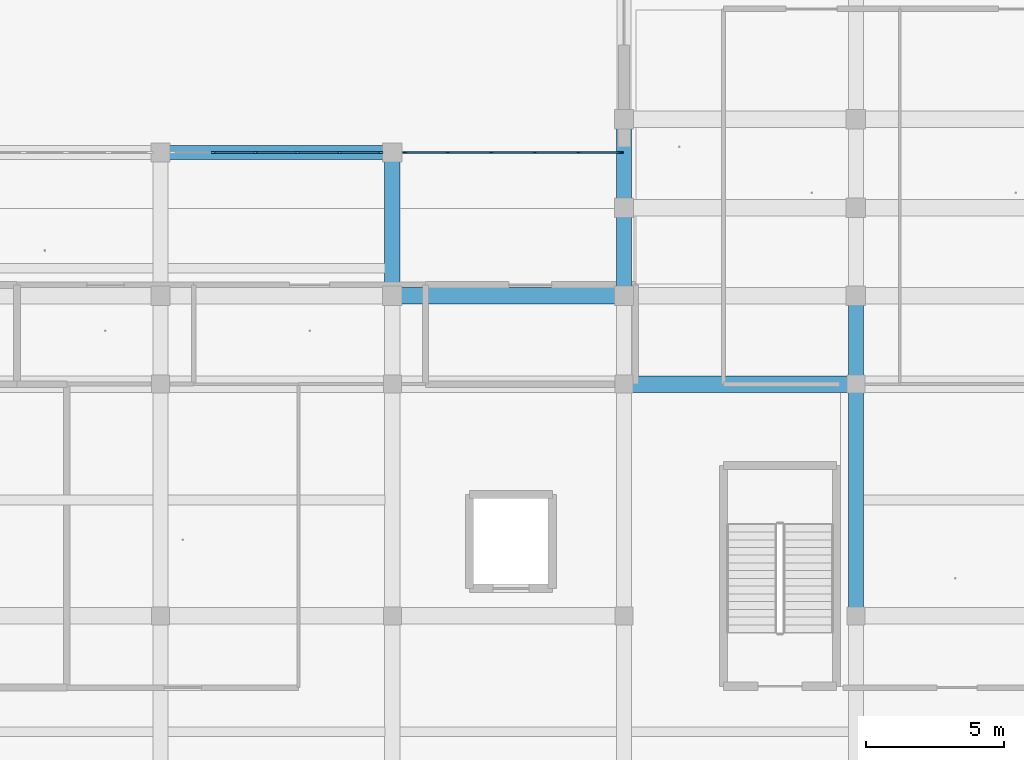
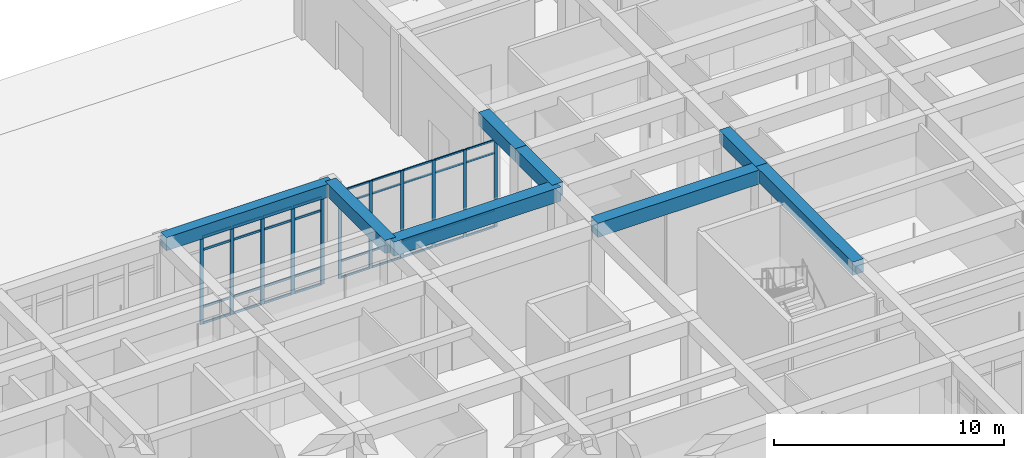
# One storey, part 36 of 167: 47 members, 8 beams, 2 elements without a shape of their own.
"""IFC4 building model written with IfcOpenShell, lengths in metres."""

from ifc_helpers import new_model, si_unit, direction, frame, origin, origin_2d, place, context, subcontext, project, spatial, rectangle, extrude, material, material_profile, profile_set, type_object, element, aggregate, save


model = new_model("IFC4")

# Units and contexts
model_context = context("Model", 3, precision=1e-05, world=origin(), true_north=direction((0.0, 1.0)))
body_context = subcontext(model_context, "Body", "Model", "MODEL_VIEW")
ifc_project = project(units=[si_unit("LENGTHUNIT", "METRE"), si_unit("AREAUNIT", "SQUARE_METRE"), si_unit("VOLUMEUNIT", "CUBIC_METRE"), si_unit("PLANEANGLEUNIT", "RADIAN"), si_unit("MASSUNIT", "GRAM", prefix="KILO")], contexts=[model_context])

# Site, building, storey
site_placement = place(None, origin())
site = spatial("IfcSite", under=ifc_project, at=site_placement, CompositionType="ELEMENT")
building_placement = place(site_placement, origin())
building = spatial("IfcBuilding", under=site, at=building_placement, Name="Varncliffe General Hospital", CompositionType="ELEMENT")
storey_placement = place(building_placement, origin())
storey = spatial("IfcBuildingStorey", under=building, at=storey_placement, Name="L00", CompositionType="ELEMENT", Elevation=0.0)

# Beams
ifc_material_1 = material(Name="Concrete C35/45 (CSA A23.1 35 MPa)", Category="concrete")
ifc_material_profile_1 = material_profile(ifc_material_1, rectangle(XDim=0.60009765625, YDim=0.75, at=origin_2d()), Name="RC 600x750")
ifc_profile_set_1 = profile_set([ifc_material_profile_1], Name="Concrete C35/45 (CSA A23.1 35 MPa)")
beam_type_1 = type_object("IfcBeamType", Name="Beam B23 (Int RC 600x750)", PredefinedType="BEAM", material=ifc_profile_set_1)
beam_1_placement = place(storey_placement, frame((109.199951171875, 99.60009765625, 5.02490234375), z_axis=(1.0, 0.0, 0.0), x_axis=(0.0, 1.0, 0.0)))
element("IfcBeam", 1, at=beam_1_placement, inside=storey, type_object=beam_type_1, Name="L00 Primary Beam B23-163", PredefinedType="BEAM", context=body_context, shape_type="SweptSolid", body=[
    extrude(rectangle(XDim=0.60009765625, YDim=0.75, at=origin_2d()), origin(), (0.0, 0.0, 1.0), 8.400146484375),
])
beam_2_placement = place(storey_placement, frame((100.800048828125, 102.800048828125, 5.02490234375), z_axis=(1.0, 0.0, 0.0), x_axis=(0.0, 1.0, 0.0)))
element("IfcBeam", 2, at=beam_2_placement, inside=storey, type_object=beam_type_1, Name="L00 Primary Beam B23-183", PredefinedType="BEAM", context=body_context, shape_type="SweptSolid", body=[
    extrude(rectangle(XDim=0.60009765625, YDim=0.75, at=origin_2d()), origin(), (0.0, 0.0, 1.0), 8.39990234375),
])
ifc_material_profile_2 = material_profile(ifc_material_1, rectangle(XDim=0.550048828125, YDim=0.699951171875, at=origin_2d()), Name="RC 550x700")
ifc_profile_set_2 = profile_set([ifc_material_profile_2], Name="Concrete C35/45 (CSA A23.1 35 MPa)")
beam_type_2 = type_object("IfcBeamType", Name="Beam B35 (Int RC 550x700)", PredefinedType="BEAM", material=ifc_profile_set_2)
beam_3_placement = place(storey_placement, frame((100.800048828125, 102.800048828125, 5.050048828125), z_axis=(0.0, 1.0, 0.0), x_axis=(-1.0, 0.0, 0.0)))
element("IfcBeam", 3, at=beam_3_placement, inside=storey, type_object=beam_type_2, Name="L00 Primary Beam B35-405", PredefinedType="BEAM", context=body_context, shape_type="SweptSolid", body=[
    extrude(rectangle(XDim=0.550048828125, YDim=0.699951171875, at=origin_2d()), origin(), (0.0, 0.0, 1.0), 5.199951171875),
])
for number, where, z_axis, x_axis, name in (
    (4, (109.199951171875, 102.800048828125, 5.050048828125), (0.0, 1.0, 0.0), (-1.0, 0.0, 0.0), "L00 Primary Beam B35-412"),
    (5, (109.199951171875, 106.0, 5.050048828125), (0.0, 1.0, 0.0), (-1.0, 0.0, 0.0), "L00 Primary Beam B35-413"),
):
    element("IfcBeam", number, at=place(storey_placement, frame(where, z_axis=z_axis, x_axis=x_axis)), inside=storey, type_object=beam_type_2, Name=name, PredefinedType="BEAM", context=body_context, shape_type="SweptSolid", body=[
        extrude(rectangle(XDim=0.550048828125, YDim=0.699951171875, at=origin_2d()), origin(), (0.0, 0.0, 1.0), 3.199951171875),
    ])
beam_4_placement = place(storey_placement, frame((117.60009765625, 91.199951171875, 5.050048828125), z_axis=(0.0, 1.0, 0.0), x_axis=(-1.0, 0.0, 0.0)))
element("IfcBeam", 6, at=beam_4_placement, inside=storey, type_object=beam_type_2, Name="L00 Primary Beam B35-426", PredefinedType="BEAM", context=body_context, shape_type="SweptSolid", body=[
    extrude(rectangle(XDim=0.550048828125, YDim=0.699951171875, at=origin_2d()), origin(), (0.0, 0.0, 1.0), 8.400146484375),
])
beam_5_placement = place(storey_placement, frame((117.60009765625, 99.60009765625, 5.050048828125), z_axis=(0.0, 1.0, 0.0), x_axis=(-1.0, 0.0, 0.0)))
element("IfcBeam", 7, at=beam_5_placement, inside=storey, type_object=beam_type_2, Name="L00 Primary Beam B35-427", PredefinedType="BEAM", context=body_context, shape_type="SweptSolid", body=[
    extrude(rectangle(XDim=0.550048828125, YDim=0.699951171875, at=origin_2d()), origin(), (0.0, 0.0, 1.0), 3.199951171875),
])

# Curtain wall, members
ifc_material_2 = material(Name="Triple low-E argon insulated vision glazing", Category="glass")
curtain_wall_type_1 = type_object("IfcCurtainWallType", Name="Unitised Glazed Curtain Wall CW11 (7624x4640)", PredefinedType="USERDEFINED", material=ifc_material_2)
curtain_wall_1_placement = place(storey_placement, origin())
curtain_wall_1 = element("IfcCurtainWall", 8, at=curtain_wall_1_placement, inside=storey, type_object=curtain_wall_type_1, Name="L00 Glazed Curtain Wall CW11-4", ObjectType="GLAZED CURTAIN WALL", PredefinedType="USERDEFINED")
ifc_material_3 = material(Name="Dark bronze thermally broken aluminium framing", Category="aluminium")
ifc_material_profile_3 = material_profile(ifc_material_3, rectangle(XDim=0.074951171875, YDim=0.179931640625, at=origin_2d()), Name="ALU 75x180")
ifc_profile_set_3 = profile_set([ifc_material_profile_3], Name="Dark bronze thermally broken aluminium framing")
member_type_1 = type_object("IfcMemberType", Name="Curtain Wall Mullion CM44 (ALU 75x180)", PredefinedType="MULLION", material=ifc_profile_set_3)
member_1_placement = place(storey_placement, frame((94.312744140625, 108.0, 0.0), z_axis=(0.0, 0.0, 1.0), x_axis=(0.0, 1.0, 0.0)))
member_1 = element("IfcMember", 9, at=member_1_placement, type_object=member_type_1, Name="CW11 mullion 2", PredefinedType="MULLION", context=body_context, shape_type="SweptSolid", body=[
    extrude(rectangle(XDim=0.074951171875, YDim=0.179931640625, at=origin_2d()), origin(), (0.0, 0.0, 1.0), 4.639892578125),
])
member_2_placement = place(storey_placement, frame((95.837646484375, 108.0, 0.0), z_axis=(0.0, 0.0, 1.0), x_axis=(0.0, 1.0, 0.0)))
member_2 = element("IfcMember", 10, at=member_2_placement, type_object=member_type_1, Name="CW11 mullion 3", PredefinedType="MULLION", context=body_context, shape_type="SweptSolid", body=[
    extrude(rectangle(XDim=0.074951171875, YDim=0.179931640625, at=origin_2d()), origin(), (0.0, 0.0, 1.0), 4.639892578125),
])
member_3_placement = place(storey_placement, frame((97.3623046875, 108.0, 0.0), z_axis=(0.0, 0.0, 1.0), x_axis=(0.0, 1.0, 0.0)))
member_3 = element("IfcMember", 11, at=member_3_placement, type_object=member_type_1, Name="CW11 mullion 4", PredefinedType="MULLION", context=body_context, shape_type="SweptSolid", body=[
    extrude(rectangle(XDim=0.074951171875, YDim=0.179931640625, at=origin_2d()), origin(), (0.0, 0.0, 1.0), 4.639892578125),
])
member_4_placement = place(storey_placement, frame((98.88720703125, 108.0, 0.0), z_axis=(0.0, 0.0, 1.0), x_axis=(0.0, 1.0, 0.0)))
member_4 = element("IfcMember", 12, at=member_4_placement, type_object=member_type_1, Name="CW11 mullion 5", PredefinedType="MULLION", context=body_context, shape_type="SweptSolid", body=[
    extrude(rectangle(XDim=0.074951171875, YDim=0.179931640625, at=origin_2d()), origin(), (0.0, 0.0, 1.0), 4.639892578125),
])
member_5_placement = place(storey_placement, frame((100.37451171875, 108.0, 0.0), z_axis=(0.0, 0.0, 1.0), x_axis=(0.0, 1.0, 0.0)))
member_5 = element("IfcMember", 13, at=member_5_placement, type_object=member_type_1, Name="CW11 mullion 6", PredefinedType="MULLION", context=body_context, shape_type="SweptSolid", body=[
    extrude(rectangle(XDim=0.074951171875, YDim=0.179931640625, at=origin_2d()), origin(), (0.0, 0.0, 1.0), 4.639892578125),
])

curtain_wall_type_2 = type_object("IfcCurtainWallType", Name="Unitised Glazed Curtain Wall CW50 (7892x4640)", PredefinedType="USERDEFINED", material=ifc_material_2)
curtain_wall_2_placement = place(storey_placement, origin())
curtain_wall_2 = element("IfcCurtainWall", 14, at=curtain_wall_2_placement, inside=storey, type_object=curtain_wall_type_2, Name="L00 Glazed Curtain Wall CW50-5", ObjectType="GLAZED CURTAIN WALL", PredefinedType="USERDEFINED")
ifc_material_profile_4 = material_profile(ifc_material_3, rectangle(XDim=0.06494140625, YDim=0.159912109375, at=origin_2d()), Name="ALU 65x160")
ifc_profile_set_4 = profile_set([ifc_material_profile_4], Name="Dark bronze thermally broken aluminium framing")
member_type_2 = type_object("IfcMemberType", Name="Curtain Wall Mullion CM65 (ALU 65x160)", PredefinedType="MULLION", material=ifc_profile_set_4)
member_6_placement = place(storey_placement, frame((101.260498046875, 108.0, 0.0), z_axis=(0.0, 0.0, 1.0), x_axis=(0.0, 1.0, 0.0)))
member_6 = element("IfcMember", 15, at=member_6_placement, type_object=member_type_2, Name="CW50 mullion 1", PredefinedType="MULLION", context=body_context, shape_type="SweptSolid", body=[
    extrude(rectangle(XDim=0.06494140625, YDim=0.159912109375, at=origin_2d()), origin(), (0.0, 0.0, 1.0), 4.639892578125),
])
member_7_placement = place(storey_placement, frame((102.806396484375, 108.0, 0.0), z_axis=(0.0, 0.0, 1.0), x_axis=(0.0, 1.0, 0.0)))
member_7 = element("IfcMember", 16, at=member_7_placement, type_object=member_type_2, Name="CW50 mullion 2", PredefinedType="MULLION", context=body_context, shape_type="SweptSolid", body=[
    extrude(rectangle(XDim=0.06494140625, YDim=0.159912109375, at=origin_2d()), origin(), (0.0, 0.0, 1.0), 4.639892578125),
])
member_8_placement = place(storey_placement, frame((104.384765625, 108.0, 0.0), z_axis=(0.0, 0.0, 1.0), x_axis=(0.0, 1.0, 0.0)))
member_8 = element("IfcMember", 17, at=member_8_placement, type_object=member_type_2, Name="CW50 mullion 3", PredefinedType="MULLION", context=body_context, shape_type="SweptSolid", body=[
    extrude(rectangle(XDim=0.06494140625, YDim=0.159912109375, at=origin_2d()), origin(), (0.0, 0.0, 1.0), 4.639892578125),
])
member_9_placement = place(storey_placement, frame((105.963134765625, 108.0, 0.0), z_axis=(0.0, 0.0, 1.0), x_axis=(0.0, 1.0, 0.0)))
member_9 = element("IfcMember", 18, at=member_9_placement, type_object=member_type_2, Name="CW50 mullion 4", PredefinedType="MULLION", context=body_context, shape_type="SweptSolid", body=[
    extrude(rectangle(XDim=0.06494140625, YDim=0.159912109375, at=origin_2d()), origin(), (0.0, 0.0, 1.0), 4.639892578125),
])
member_10_placement = place(storey_placement, frame((107.54150390625, 108.0, 0.0), z_axis=(0.0, 0.0, 1.0), x_axis=(0.0, 1.0, 0.0)))
member_10 = element("IfcMember", 19, at=member_10_placement, type_object=member_type_2, Name="CW50 mullion 5", PredefinedType="MULLION", context=body_context, shape_type="SweptSolid", body=[
    extrude(rectangle(XDim=0.06494140625, YDim=0.159912109375, at=origin_2d()), origin(), (0.0, 0.0, 1.0), 4.639892578125),
])
member_11_placement = place(storey_placement, frame((109.08740234375, 108.0, 0.0), z_axis=(0.0, 0.0, 1.0), x_axis=(0.0, 1.0, 0.0)))
member_11 = element("IfcMember", 20, at=member_11_placement, type_object=member_type_2, Name="CW50 mullion 6", PredefinedType="MULLION", context=body_context, shape_type="SweptSolid", body=[
    extrude(rectangle(XDim=0.06494140625, YDim=0.159912109375, at=origin_2d()), origin(), (0.0, 0.0, 1.0), 4.639892578125),
])

# Member
ifc_material_profile_5 = material_profile(ifc_material_3, rectangle(XDim=0.06005859375, YDim=0.1201171875, at=origin_2d()), Name="ALU 60x120")
ifc_profile_set_5 = profile_set([ifc_material_profile_5], Name="Dark bronze thermally broken aluminium framing")
member_type_3 = type_object("IfcMemberType", Name="Curtain Wall Transom CT14 (ALU 60x120)", PredefinedType="USERDEFINED", material=ifc_profile_set_5)
member_12_placement = place(storey_placement, frame((94.350341796875, 108.0, 0.030029296875), z_axis=(1.0, 0.0, 0.0), x_axis=(0.0, 1.0, 0.0)))
member_12 = element("IfcMember", 21, at=member_12_placement, type_object=member_type_3, Name="CW11 transom 2.1", ObjectType="TRANSOM", PredefinedType="USERDEFINED", context=body_context, shape_type="SweptSolid", body=[
    extrude(rectangle(XDim=0.06005859375, YDim=0.1201171875, at=origin_2d()), origin(), (0.0, 0.0, 1.0), 1.44970703125),
])

member_13_placement = place(storey_placement, frame((94.350341796875, 108.0, 0.89990234375), z_axis=(1.0, 0.0, 0.0), x_axis=(0.0, 1.0, 0.0)))
member_13 = element("IfcMember", 22, at=member_13_placement, type_object=member_type_3, Name="CW11 transom 2.2", ObjectType="TRANSOM", PredefinedType="USERDEFINED", context=body_context, shape_type="SweptSolid", body=[
    extrude(rectangle(XDim=0.06005859375, YDim=0.1201171875, at=origin_2d()), origin(), (0.0, 0.0, 1.0), 1.44970703125),
])

member_14_placement = place(storey_placement, frame((94.350341796875, 108.0, 3.93994140625), z_axis=(1.0, 0.0, 0.0), x_axis=(0.0, 1.0, 0.0)))
member_14 = element("IfcMember", 23, at=member_14_placement, type_object=member_type_3, Name="CW11 transom 2.3", ObjectType="TRANSOM", PredefinedType="USERDEFINED", context=body_context, shape_type="SweptSolid", body=[
    extrude(rectangle(XDim=0.06005859375, YDim=0.1201171875, at=origin_2d()), origin(), (0.0, 0.0, 1.0), 1.44970703125),
])

member_15_placement = place(storey_placement, frame((94.350341796875, 108.0, 4.610107421875), z_axis=(1.0, 0.0, 0.0), x_axis=(0.0, 1.0, 0.0)))
member_15 = element("IfcMember", 24, at=member_15_placement, type_object=member_type_3, Name="CW11 transom 2.4", ObjectType="TRANSOM", PredefinedType="USERDEFINED", context=body_context, shape_type="SweptSolid", body=[
    extrude(rectangle(XDim=0.06005859375, YDim=0.1201171875, at=origin_2d()), origin(), (0.0, 0.0, 1.0), 1.44970703125),
])

member_16_placement = place(storey_placement, frame((95.875, 108.0, 0.030029296875), z_axis=(1.0, 0.0, 0.0), x_axis=(0.0, 1.0, 0.0)))
member_16 = element("IfcMember", 25, at=member_16_placement, type_object=member_type_3, Name="CW11 transom 3.1", ObjectType="TRANSOM", PredefinedType="USERDEFINED", context=body_context, shape_type="SweptSolid", body=[
    extrude(rectangle(XDim=0.06005859375, YDim=0.1201171875, at=origin_2d()), origin(), (0.0, 0.0, 1.0), 1.449951171875),
])

member_17_placement = place(storey_placement, frame((95.875, 108.0, 0.89990234375), z_axis=(1.0, 0.0, 0.0), x_axis=(0.0, 1.0, 0.0)))
member_17 = element("IfcMember", 26, at=member_17_placement, type_object=member_type_3, Name="CW11 transom 3.2", ObjectType="TRANSOM", PredefinedType="USERDEFINED", context=body_context, shape_type="SweptSolid", body=[
    extrude(rectangle(XDim=0.06005859375, YDim=0.1201171875, at=origin_2d()), origin(), (0.0, 0.0, 1.0), 1.449951171875),
])

member_18_placement = place(storey_placement, frame((95.875, 108.0, 3.93994140625), z_axis=(1.0, 0.0, 0.0), x_axis=(0.0, 1.0, 0.0)))
member_18 = element("IfcMember", 27, at=member_18_placement, type_object=member_type_3, Name="CW11 transom 3.3", ObjectType="TRANSOM", PredefinedType="USERDEFINED", context=body_context, shape_type="SweptSolid", body=[
    extrude(rectangle(XDim=0.06005859375, YDim=0.1201171875, at=origin_2d()), origin(), (0.0, 0.0, 1.0), 1.449951171875),
])

member_19_placement = place(storey_placement, frame((95.875, 108.0, 4.610107421875), z_axis=(1.0, 0.0, 0.0), x_axis=(0.0, 1.0, 0.0)))
member_19 = element("IfcMember", 28, at=member_19_placement, type_object=member_type_3, Name="CW11 transom 3.4", ObjectType="TRANSOM", PredefinedType="USERDEFINED", context=body_context, shape_type="SweptSolid", body=[
    extrude(rectangle(XDim=0.06005859375, YDim=0.1201171875, at=origin_2d()), origin(), (0.0, 0.0, 1.0), 1.449951171875),
])

member_20_placement = place(storey_placement, frame((97.39990234375, 108.0, 0.030029296875), z_axis=(1.0, 0.0, 0.0), x_axis=(0.0, 1.0, 0.0)))
member_20 = element("IfcMember", 29, at=member_20_placement, type_object=member_type_3, Name="CW11 transom 4.1", ObjectType="TRANSOM", PredefinedType="USERDEFINED", context=body_context, shape_type="SweptSolid", body=[
    extrude(rectangle(XDim=0.06005859375, YDim=0.1201171875, at=origin_2d()), origin(), (0.0, 0.0, 1.0), 1.44970703125),
])

member_21_placement = place(storey_placement, frame((97.39990234375, 108.0, 0.89990234375), z_axis=(1.0, 0.0, 0.0), x_axis=(0.0, 1.0, 0.0)))
member_21 = element("IfcMember", 30, at=member_21_placement, type_object=member_type_3, Name="CW11 transom 4.2", ObjectType="TRANSOM", PredefinedType="USERDEFINED", context=body_context, shape_type="SweptSolid", body=[
    extrude(rectangle(XDim=0.06005859375, YDim=0.1201171875, at=origin_2d()), origin(), (0.0, 0.0, 1.0), 1.44970703125),
])

member_22_placement = place(storey_placement, frame((97.39990234375, 108.0, 3.93994140625), z_axis=(1.0, 0.0, 0.0), x_axis=(0.0, 1.0, 0.0)))
member_22 = element("IfcMember", 31, at=member_22_placement, type_object=member_type_3, Name="CW11 transom 4.3", ObjectType="TRANSOM", PredefinedType="USERDEFINED", context=body_context, shape_type="SweptSolid", body=[
    extrude(rectangle(XDim=0.06005859375, YDim=0.1201171875, at=origin_2d()), origin(), (0.0, 0.0, 1.0), 1.44970703125),
])

member_23_placement = place(storey_placement, frame((97.39990234375, 108.0, 4.610107421875), z_axis=(1.0, 0.0, 0.0), x_axis=(0.0, 1.0, 0.0)))
member_23 = element("IfcMember", 32, at=member_23_placement, type_object=member_type_3, Name="CW11 transom 4.4", ObjectType="TRANSOM", PredefinedType="USERDEFINED", context=body_context, shape_type="SweptSolid", body=[
    extrude(rectangle(XDim=0.06005859375, YDim=0.1201171875, at=origin_2d()), origin(), (0.0, 0.0, 1.0), 1.44970703125),
])

member_24_placement = place(storey_placement, frame((98.9248046875, 108.0, 0.030029296875), z_axis=(1.0, 0.0, 0.0), x_axis=(0.0, 1.0, 0.0)))
member_24 = element("IfcMember", 33, at=member_24_placement, type_object=member_type_3, Name="CW11 transom 5.1", ObjectType="TRANSOM", PredefinedType="USERDEFINED", context=body_context, shape_type="SweptSolid", body=[
    extrude(rectangle(XDim=0.06005859375, YDim=0.1201171875, at=origin_2d()), origin(), (0.0, 0.0, 1.0), 1.412109375),
])

member_25_placement = place(storey_placement, frame((98.9248046875, 108.0, 0.89990234375), z_axis=(1.0, 0.0, 0.0), x_axis=(0.0, 1.0, 0.0)))
member_25 = element("IfcMember", 34, at=member_25_placement, type_object=member_type_3, Name="CW11 transom 5.2", ObjectType="TRANSOM", PredefinedType="USERDEFINED", context=body_context, shape_type="SweptSolid", body=[
    extrude(rectangle(XDim=0.06005859375, YDim=0.1201171875, at=origin_2d()), origin(), (0.0, 0.0, 1.0), 1.412109375),
])

member_26_placement = place(storey_placement, frame((98.9248046875, 108.0, 3.93994140625), z_axis=(1.0, 0.0, 0.0), x_axis=(0.0, 1.0, 0.0)))
member_26 = element("IfcMember", 35, at=member_26_placement, type_object=member_type_3, Name="CW11 transom 5.3", ObjectType="TRANSOM", PredefinedType="USERDEFINED", context=body_context, shape_type="SweptSolid", body=[
    extrude(rectangle(XDim=0.06005859375, YDim=0.1201171875, at=origin_2d()), origin(), (0.0, 0.0, 1.0), 1.412109375),
])

member_27_placement = place(storey_placement, frame((98.9248046875, 108.0, 4.610107421875), z_axis=(1.0, 0.0, 0.0), x_axis=(0.0, 1.0, 0.0)))
member_27 = element("IfcMember", 36, at=member_27_placement, type_object=member_type_3, Name="CW11 transom 5.4", ObjectType="TRANSOM", PredefinedType="USERDEFINED", context=body_context, shape_type="SweptSolid", body=[
    extrude(rectangle(XDim=0.06005859375, YDim=0.1201171875, at=origin_2d()), origin(), (0.0, 0.0, 1.0), 1.412109375),
])

aggregate(curtain_wall_1, [member_1, member_2, member_3, member_4, member_5, member_12, member_13, member_14, member_15, member_16, member_17, member_18, member_19, member_20, member_21, member_22, member_23, member_24, member_25, member_26, member_27])

ifc_material_profile_6 = material_profile(ifc_material_3, rectangle(XDim=0.06005859375, YDim=0.10009765625, at=origin_2d()), Name="ALU 60x100")
ifc_profile_set_6 = profile_set([ifc_material_profile_6], Name="Dark bronze thermally broken aluminium framing")
member_type_4 = type_object("IfcMemberType", Name="Curtain Wall Transom CT18 (ALU 60x100)", PredefinedType="USERDEFINED", material=ifc_profile_set_6)
member_28_placement = place(storey_placement, frame((101.29296875, 108.0, 0.030029296875), z_axis=(1.0, 0.0, 0.0), x_axis=(0.0, 1.0, 0.0)))
member_28 = element("IfcMember", 37, at=member_28_placement, type_object=member_type_4, Name="CW50 transom 1.1", ObjectType="TRANSOM", PredefinedType="USERDEFINED", context=body_context, shape_type="SweptSolid", body=[
    extrude(rectangle(XDim=0.06005859375, YDim=0.10009765625, at=origin_2d()), origin(), (0.0, 0.0, 1.0), 1.48095703125),
])

member_29_placement = place(storey_placement, frame((101.29296875, 108.0, 0.89990234375), z_axis=(1.0, 0.0, 0.0), x_axis=(0.0, 1.0, 0.0)))
member_29 = element("IfcMember", 38, at=member_29_placement, type_object=member_type_4, Name="CW50 transom 1.2", ObjectType="TRANSOM", PredefinedType="USERDEFINED", context=body_context, shape_type="SweptSolid", body=[
    extrude(rectangle(XDim=0.06005859375, YDim=0.10009765625, at=origin_2d()), origin(), (0.0, 0.0, 1.0), 1.48095703125),
])

member_30_placement = place(storey_placement, frame((101.29296875, 108.0, 3.93994140625), z_axis=(1.0, 0.0, 0.0), x_axis=(0.0, 1.0, 0.0)))
member_30 = element("IfcMember", 39, at=member_30_placement, type_object=member_type_4, Name="CW50 transom 1.3", ObjectType="TRANSOM", PredefinedType="USERDEFINED", context=body_context, shape_type="SweptSolid", body=[
    extrude(rectangle(XDim=0.06005859375, YDim=0.10009765625, at=origin_2d()), origin(), (0.0, 0.0, 1.0), 1.48095703125),
])

member_31_placement = place(storey_placement, frame((101.29296875, 108.0, 4.610107421875), z_axis=(1.0, 0.0, 0.0), x_axis=(0.0, 1.0, 0.0)))
member_31 = element("IfcMember", 40, at=member_31_placement, type_object=member_type_4, Name="CW50 transom 1.4", ObjectType="TRANSOM", PredefinedType="USERDEFINED", context=body_context, shape_type="SweptSolid", body=[
    extrude(rectangle(XDim=0.06005859375, YDim=0.10009765625, at=origin_2d()), origin(), (0.0, 0.0, 1.0), 1.48095703125),
])

member_32_placement = place(storey_placement, frame((102.8388671875, 108.0, 0.030029296875), z_axis=(1.0, 0.0, 0.0), x_axis=(0.0, 1.0, 0.0)))
member_32 = element("IfcMember", 41, at=member_32_placement, type_object=member_type_4, Name="CW50 transom 2.1", ObjectType="TRANSOM", PredefinedType="USERDEFINED", context=body_context, shape_type="SweptSolid", body=[
    extrude(rectangle(XDim=0.06005859375, YDim=0.10009765625, at=origin_2d()), origin(), (0.0, 0.0, 1.0), 1.513427734375),
])

member_33_placement = place(storey_placement, frame((102.8388671875, 108.0, 0.89990234375), z_axis=(1.0, 0.0, 0.0), x_axis=(0.0, 1.0, 0.0)))
member_33 = element("IfcMember", 42, at=member_33_placement, type_object=member_type_4, Name="CW50 transom 2.2", ObjectType="TRANSOM", PredefinedType="USERDEFINED", context=body_context, shape_type="SweptSolid", body=[
    extrude(rectangle(XDim=0.06005859375, YDim=0.10009765625, at=origin_2d()), origin(), (0.0, 0.0, 1.0), 1.513427734375),
])

member_34_placement = place(storey_placement, frame((102.8388671875, 108.0, 3.93994140625), z_axis=(1.0, 0.0, 0.0), x_axis=(0.0, 1.0, 0.0)))
member_34 = element("IfcMember", 43, at=member_34_placement, type_object=member_type_4, Name="CW50 transom 2.3", ObjectType="TRANSOM", PredefinedType="USERDEFINED", context=body_context, shape_type="SweptSolid", body=[
    extrude(rectangle(XDim=0.06005859375, YDim=0.10009765625, at=origin_2d()), origin(), (0.0, 0.0, 1.0), 1.513427734375),
])

member_35_placement = place(storey_placement, frame((102.8388671875, 108.0, 4.610107421875), z_axis=(1.0, 0.0, 0.0), x_axis=(0.0, 1.0, 0.0)))
member_35 = element("IfcMember", 44, at=member_35_placement, type_object=member_type_4, Name="CW50 transom 2.4", ObjectType="TRANSOM", PredefinedType="USERDEFINED", context=body_context, shape_type="SweptSolid", body=[
    extrude(rectangle(XDim=0.06005859375, YDim=0.10009765625, at=origin_2d()), origin(), (0.0, 0.0, 1.0), 1.513427734375),
])

member_36_placement = place(storey_placement, frame((104.417236328125, 108.0, 0.030029296875), z_axis=(1.0, 0.0, 0.0), x_axis=(0.0, 1.0, 0.0)))
member_36 = element("IfcMember", 45, at=member_36_placement, type_object=member_type_4, Name="CW50 transom 3.1", ObjectType="TRANSOM", PredefinedType="USERDEFINED", context=body_context, shape_type="SweptSolid", body=[
    extrude(rectangle(XDim=0.06005859375, YDim=0.10009765625, at=origin_2d()), origin(), (0.0, 0.0, 1.0), 1.513427734375),
])

member_37_placement = place(storey_placement, frame((104.417236328125, 108.0, 0.89990234375), z_axis=(1.0, 0.0, 0.0), x_axis=(0.0, 1.0, 0.0)))
member_37 = element("IfcMember", 46, at=member_37_placement, type_object=member_type_4, Name="CW50 transom 3.2", ObjectType="TRANSOM", PredefinedType="USERDEFINED", context=body_context, shape_type="SweptSolid", body=[
    extrude(rectangle(XDim=0.06005859375, YDim=0.10009765625, at=origin_2d()), origin(), (0.0, 0.0, 1.0), 1.513427734375),
])

member_38_placement = place(storey_placement, frame((104.417236328125, 108.0, 3.93994140625), z_axis=(1.0, 0.0, 0.0), x_axis=(0.0, 1.0, 0.0)))
member_38 = element("IfcMember", 47, at=member_38_placement, type_object=member_type_4, Name="CW50 transom 3.3", ObjectType="TRANSOM", PredefinedType="USERDEFINED", context=body_context, shape_type="SweptSolid", body=[
    extrude(rectangle(XDim=0.06005859375, YDim=0.10009765625, at=origin_2d()), origin(), (0.0, 0.0, 1.0), 1.513427734375),
])

member_39_placement = place(storey_placement, frame((104.417236328125, 108.0, 4.610107421875), z_axis=(1.0, 0.0, 0.0), x_axis=(0.0, 1.0, 0.0)))
member_39 = element("IfcMember", 48, at=member_39_placement, type_object=member_type_4, Name="CW50 transom 3.4", ObjectType="TRANSOM", PredefinedType="USERDEFINED", context=body_context, shape_type="SweptSolid", body=[
    extrude(rectangle(XDim=0.06005859375, YDim=0.10009765625, at=origin_2d()), origin(), (0.0, 0.0, 1.0), 1.513427734375),
])

member_40_placement = place(storey_placement, frame((105.99560546875, 108.0, 0.030029296875), z_axis=(1.0, 0.0, 0.0), x_axis=(0.0, 1.0, 0.0)))
member_40 = element("IfcMember", 49, at=member_40_placement, type_object=member_type_4, Name="CW50 transom 4.1", ObjectType="TRANSOM", PredefinedType="USERDEFINED", context=body_context, shape_type="SweptSolid", body=[
    extrude(rectangle(XDim=0.06005859375, YDim=0.10009765625, at=origin_2d()), origin(), (0.0, 0.0, 1.0), 1.513427734375),
])

member_41_placement = place(storey_placement, frame((105.99560546875, 108.0, 0.89990234375), z_axis=(1.0, 0.0, 0.0), x_axis=(0.0, 1.0, 0.0)))
member_41 = element("IfcMember", 50, at=member_41_placement, type_object=member_type_4, Name="CW50 transom 4.2", ObjectType="TRANSOM", PredefinedType="USERDEFINED", context=body_context, shape_type="SweptSolid", body=[
    extrude(rectangle(XDim=0.06005859375, YDim=0.10009765625, at=origin_2d()), origin(), (0.0, 0.0, 1.0), 1.513427734375),
])

member_42_placement = place(storey_placement, frame((105.99560546875, 108.0, 3.93994140625), z_axis=(1.0, 0.0, 0.0), x_axis=(0.0, 1.0, 0.0)))
member_42 = element("IfcMember", 51, at=member_42_placement, type_object=member_type_4, Name="CW50 transom 4.3", ObjectType="TRANSOM", PredefinedType="USERDEFINED", context=body_context, shape_type="SweptSolid", body=[
    extrude(rectangle(XDim=0.06005859375, YDim=0.10009765625, at=origin_2d()), origin(), (0.0, 0.0, 1.0), 1.513427734375),
])

member_43_placement = place(storey_placement, frame((105.99560546875, 108.0, 4.610107421875), z_axis=(1.0, 0.0, 0.0), x_axis=(0.0, 1.0, 0.0)))
member_43 = element("IfcMember", 52, at=member_43_placement, type_object=member_type_4, Name="CW50 transom 4.4", ObjectType="TRANSOM", PredefinedType="USERDEFINED", context=body_context, shape_type="SweptSolid", body=[
    extrude(rectangle(XDim=0.06005859375, YDim=0.10009765625, at=origin_2d()), origin(), (0.0, 0.0, 1.0), 1.513427734375),
])

member_44_placement = place(storey_placement, frame((107.57421875, 108.0, 0.030029296875), z_axis=(1.0, 0.0, 0.0), x_axis=(0.0, 1.0, 0.0)))
member_44 = element("IfcMember", 53, at=member_44_placement, type_object=member_type_4, Name="CW50 transom 5.1", ObjectType="TRANSOM", PredefinedType="USERDEFINED", context=body_context, shape_type="SweptSolid", body=[
    extrude(rectangle(XDim=0.06005859375, YDim=0.10009765625, at=origin_2d()), origin(), (0.0, 0.0, 1.0), 1.480712890625),
])

member_45_placement = place(storey_placement, frame((107.57421875, 108.0, 0.89990234375), z_axis=(1.0, 0.0, 0.0), x_axis=(0.0, 1.0, 0.0)))
member_45 = element("IfcMember", 54, at=member_45_placement, type_object=member_type_4, Name="CW50 transom 5.2", ObjectType="TRANSOM", PredefinedType="USERDEFINED", context=body_context, shape_type="SweptSolid", body=[
    extrude(rectangle(XDim=0.06005859375, YDim=0.10009765625, at=origin_2d()), origin(), (0.0, 0.0, 1.0), 1.480712890625),
])

member_46_placement = place(storey_placement, frame((107.57421875, 108.0, 3.93994140625), z_axis=(1.0, 0.0, 0.0), x_axis=(0.0, 1.0, 0.0)))
member_46 = element("IfcMember", 55, at=member_46_placement, type_object=member_type_4, Name="CW50 transom 5.3", ObjectType="TRANSOM", PredefinedType="USERDEFINED", context=body_context, shape_type="SweptSolid", body=[
    extrude(rectangle(XDim=0.06005859375, YDim=0.10009765625, at=origin_2d()), origin(), (0.0, 0.0, 1.0), 1.480712890625),
])

member_47_placement = place(storey_placement, frame((107.57421875, 108.0, 4.610107421875), z_axis=(1.0, 0.0, 0.0), x_axis=(0.0, 1.0, 0.0)))
member_47 = element("IfcMember", 56, at=member_47_placement, type_object=member_type_4, Name="CW50 transom 5.4", ObjectType="TRANSOM", PredefinedType="USERDEFINED", context=body_context, shape_type="SweptSolid", body=[
    extrude(rectangle(XDim=0.06005859375, YDim=0.10009765625, at=origin_2d()), origin(), (0.0, 0.0, 1.0), 1.480712890625),
])

aggregate(curtain_wall_2, [member_6, member_7, member_8, member_9, member_10, member_11, member_28, member_29, member_30, member_31, member_32, member_33, member_34, member_35, member_36, member_37, member_38, member_39, member_40, member_41, member_42, member_43, member_44, member_45, member_46, member_47])

# Beam
ifc_material_profile_7 = material_profile(ifc_material_1, rectangle(XDim=0.5, YDim=0.699951171875, at=origin_2d()), Name="RC 500x700")
ifc_profile_set_7 = profile_set([ifc_material_profile_7], Name="Concrete C35/45 (CSA A23.1 35 MPa)")
beam_type_3 = type_object("IfcBeamType", Name="Spandrel SP19 (Ext RC 500x700)", PredefinedType="SPANDREL", material=ifc_profile_set_7)
beam_6_placement = place(storey_placement, frame((92.39990234375, 108.0, 5.050048828125), z_axis=(1.0, 0.0, 0.0), x_axis=(0.0, 1.0, 0.0)))
element("IfcBeam", 57, at=beam_6_placement, inside=storey, type_object=beam_type_3, Name="L00 Spandrel Beam SP19-210", PredefinedType="SPANDREL", context=body_context, shape_type="SweptSolid", body=[
    extrude(rectangle(XDim=0.5, YDim=0.699951171875, at=origin_2d()), origin(), (0.0, 0.0, 1.0), 8.400146484375),
])

save(model, "model.ifc")
